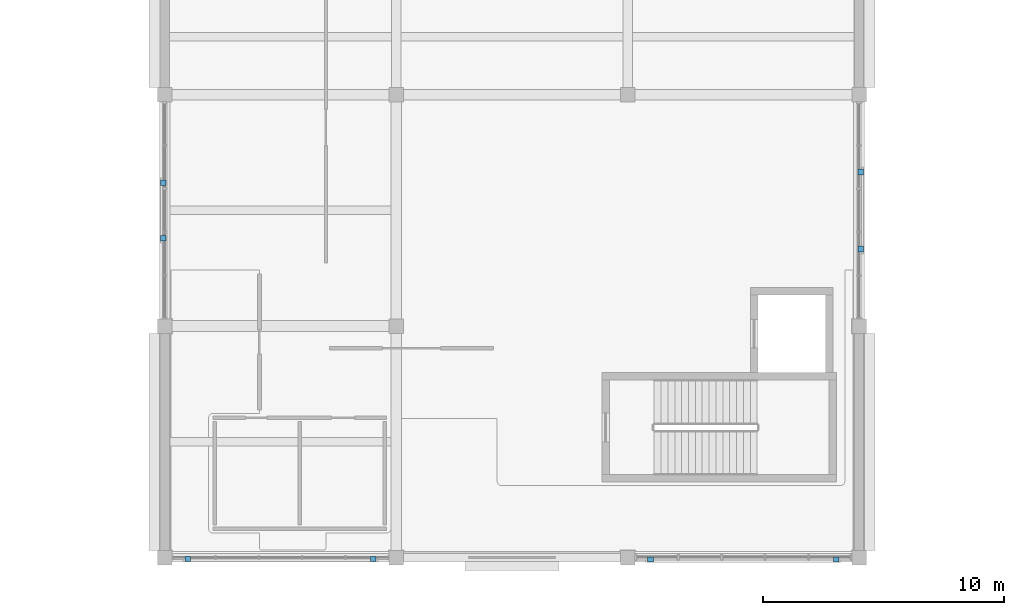
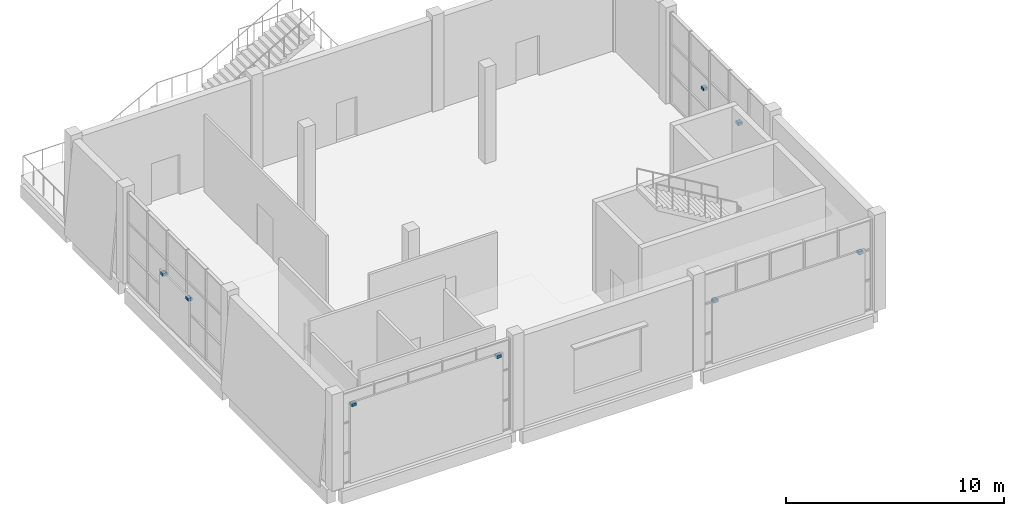
# One storey, part 46 of 57: 8 discrete accessories.
"""IFC4 building model written with IfcOpenShell, lengths in metres."""

from ifc_helpers import new_model, si_unit, direction, frame, origin, origin_2d, place, context, subcontext, project, spatial, rectangle, extrude, material, type_object, element, save


model = new_model("IFC4")

# Units and contexts
model_context = context("Model", 3, precision=1e-05, world=origin(), true_north=direction((0.0, 1.0)))
body_context = subcontext(model_context, "Body", "Model", "MODEL_VIEW")
ifc_project = project(units=[si_unit("LENGTHUNIT", "METRE"), si_unit("AREAUNIT", "SQUARE_METRE"), si_unit("VOLUMEUNIT", "CUBIC_METRE"), si_unit("PLANEANGLEUNIT", "RADIAN"), si_unit("MASSUNIT", "GRAM", prefix="KILO")], contexts=[model_context])

# Site, building, storey
site_placement = place(None, origin())
site = spatial("IfcSite", under=ifc_project, at=site_placement, CompositionType="ELEMENT")
building_placement = place(site_placement, origin())
building = spatial("IfcBuilding", under=site, at=building_placement, Name="Shalvenor Court Art Gallery", CompositionType="ELEMENT")
storey_placement = place(building_placement, frame((0.0, 0.0, 16.800048828125)))
storey = spatial("IfcBuildingStorey", under=building, at=storey_placement, Name="L03", CompositionType="ELEMENT", Elevation=16.800048828125)

# Discrete accessories
ifc_material = material(Name="Stainless steel anchor bracket", Category="steel")
discrete_accessory_type = type_object("IfcDiscreteAccessoryType", Name="BRK-01", PredefinedType="BRACKET", material=ifc_material)
for number, where, z_axis, x_axis, name in (
    (1, (124.87158203125, 16.0, 2.47021484375), (0.0, 0.0, 1.0), (0.0, -1.0, 0.0), "L03 Lattice Anchor Bracket 187"),
    (2, (124.87158203125, 12.800048828125, 2.47021484375), (0.0, 0.0, 1.0), (0.0, -1.0, 0.0), "L03 Lattice Anchor Bracket 188"),
    (3, (123.85009765625, -0.07763671875, 3.3701171875), (0.0, 0.0, 1.0), (-1.0, 0.0, 0.0), "L03 Lattice Anchor Bracket 189"),
    (4, (116.14990234375, -0.07763671875, 3.3701171875), (0.0, 0.0, 1.0), (-1.0, 0.0, 0.0), "L03 Lattice Anchor Bracket 190"),
    (5, (104.64990234375, -0.057861328125, 4.27001953125), (0.0, 0.0, 1.0), (-1.0, 0.0, 0.0), "L03 Lattice Anchor Bracket 191"),
    (6, (96.949951171875, -0.057861328125, 4.27001953125), (0.0, 0.0, 1.0), (-1.0, 0.0, 0.0), "L03 Lattice Anchor Bracket 192"),
    (7, (95.934814453125, 13.25, 2.47021484375), (0.0, 0.0, 1.0), (0.0, 1.0, 0.0), "L03 Lattice Anchor Bracket 193"),
    (8, (95.934814453125, 15.550048828125, 2.47021484375), (0.0, 0.0, 1.0), (0.0, 1.0, 0.0), "L03 Lattice Anchor Bracket 194"),
):
    element("IfcDiscreteAccessory", number, at=place(storey_placement, frame(where, z_axis=z_axis, x_axis=x_axis)), inside=storey, type_object=discrete_accessory_type, Name=name, PredefinedType="BRACKET", context=body_context, shape_type="SweptSolid", body=[
        extrude(rectangle(XDim=0.239990234375, YDim=0.219970703125, at=origin_2d()), origin(), (0.0, 0.0, 1.0), 0.159912109375),
    ])

save(model, "model.ifc")
